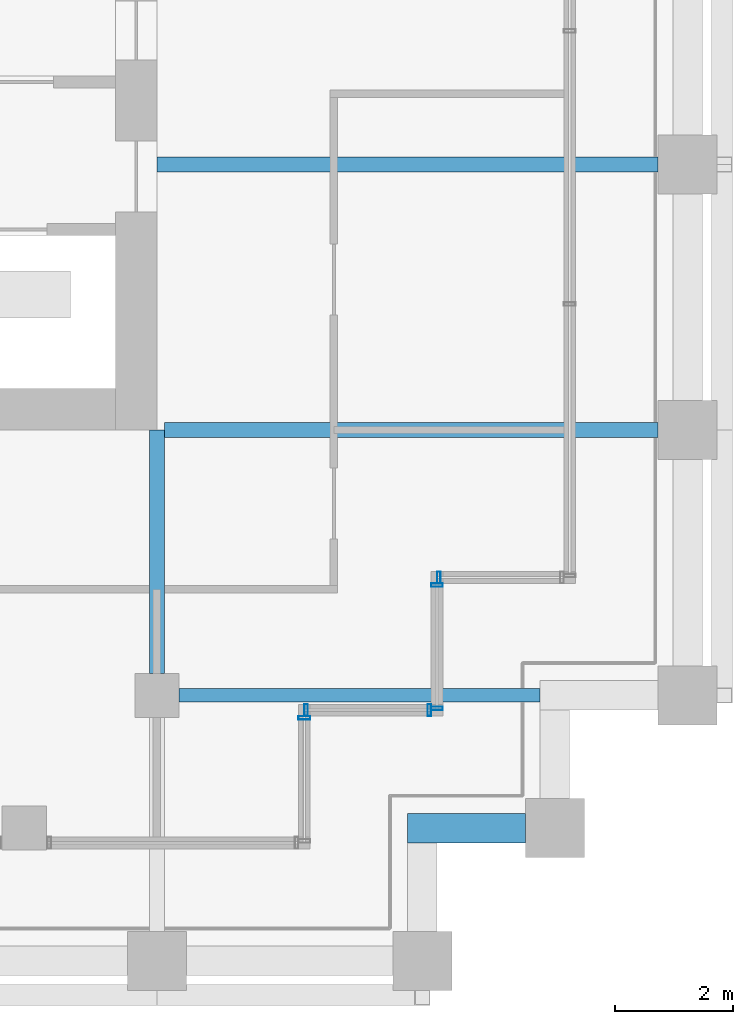
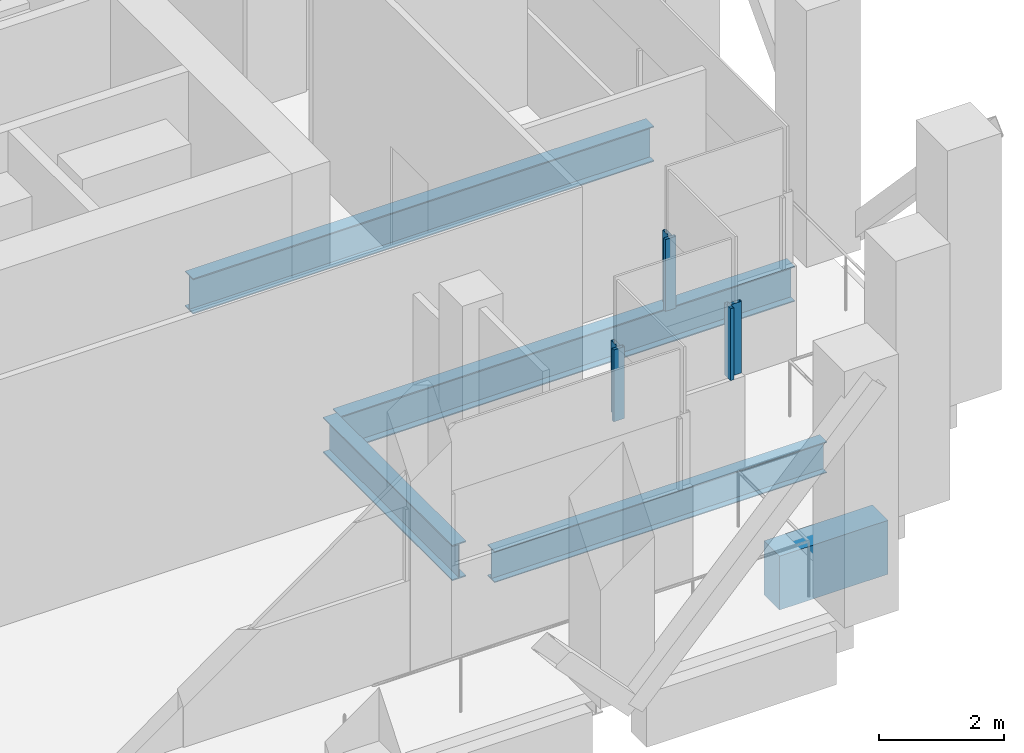
# One storey, part 24 of 48: 6 members, 5 beams, 4 elements without a shape of their own.
"""IFC4 building model written with IfcOpenShell, lengths in metres."""

from ifc_helpers import new_model, si_unit, direction, frame, origin, origin_2d, place, context, subcontext, project, spatial, rectangle, hollow_rectangle, i_section, extrude, material, material_profile, profile_set, type_object, element, aggregate, save


model = new_model("IFC4")

# Units and contexts
model_context = context("Model", 3, precision=1e-05, world=origin(), true_north=direction((0.0, 1.0)))
body_context = subcontext(model_context, "Body", "Model", "MODEL_VIEW")
ifc_project = project(units=[si_unit("LENGTHUNIT", "METRE"), si_unit("AREAUNIT", "SQUARE_METRE"), si_unit("VOLUMEUNIT", "CUBIC_METRE"), si_unit("PLANEANGLEUNIT", "RADIAN"), si_unit("MASSUNIT", "GRAM", prefix="KILO")], contexts=[model_context])

# Site, building, storey
site_placement = place(None, origin())
site = spatial("IfcSite", under=ifc_project, at=site_placement, CompositionType="ELEMENT")
building_placement = place(site_placement, origin())
building = spatial("IfcBuilding", under=site, at=building_placement, Name="Altepetl Exchange Towers", CompositionType="ELEMENT")
storey_placement = place(building_placement, frame((0.0, 0.0, 138.800048828125)))
storey = spatial("IfcBuildingStorey", under=building, at=storey_placement, Name="L34 Refuge and sky lobby", CompositionType="ELEMENT", Elevation=138.800048828125)

# Beams
ifc_material_1 = material(Name="Steel S355", Category="steel")
ifc_material_profile_1 = material_profile(ifc_material_1, i_section(OverallWidth=0.22802734375, OverallDepth=0.60791015625, WebThickness=0.01123046875, FlangeThickness=0.017333984375, at=origin_2d()), Name="W24X76")
ifc_profile_set_1 = profile_set([ifc_material_profile_1], Name="Steel S355")
beam_type_1 = type_object("IfcBeamType", Name="Floor beam W24X76", PredefinedType="BEAM", material=ifc_profile_set_1)
beam_1_placement = place(storey_placement, frame((117.375, 31.5, -0.504150390625), z_axis=(1.0, 0.0, 0.0), x_axis=(0.0, 1.0, 0.0)))
element("IfcBeam", 1, at=beam_1_placement, inside=storey, type_object=beam_type_1, Name="bm:B:L34:000", PredefinedType="BEAM", context=body_context, shape_type="SweptSolid", body=[
    extrude(i_section(OverallWidth=0.22802734375, OverallDepth=0.60791015625, WebThickness=0.01123046875, FlangeThickness=0.017333984375, at=origin_2d()), origin(), (0.0, 0.0, 1.0), 6.125),
])
ifc_material_profile_2 = material_profile(ifc_material_1, i_section(OverallWidth=0.25390625, OverallDepth=0.68798828125, WebThickness=0.01318359375, FlangeThickness=0.02099609375, at=origin_2d()), Name="W27X102")
ifc_profile_set_2 = profile_set([ifc_material_profile_2], Name="Steel S355")
beam_type_2 = type_object("IfcBeamType", Name="Floor beam W27X102", PredefinedType="BEAM", material=ifc_profile_set_2)
beam_2_placement = place(storey_placement, frame((117.1279296875, 36.0, -0.5439453125), z_axis=(1.0, 0.0, 0.0), x_axis=(0.0, 1.0, 0.0)))
element("IfcBeam", 2, at=beam_2_placement, inside=storey, type_object=beam_type_2, Name="bm:B:L34:001", PredefinedType="BEAM", context=body_context, shape_type="SweptSolid", body=[
    extrude(i_section(OverallWidth=0.25390625, OverallDepth=0.68798828125, WebThickness=0.01318359375, FlangeThickness=0.02099609375, at=origin_2d()), origin(), (0.0, 0.0, 1.0), 8.3720703125),
])
beam_3_placement = place(storey_placement, frame((117.0, 40.5, -0.5439453125), z_axis=(1.0, 0.0, 0.0), x_axis=(0.0, 1.0, 0.0)))
element("IfcBeam", 3, at=beam_3_placement, inside=storey, type_object=beam_type_2, Name="bm:B:L34:002", PredefinedType="BEAM", context=body_context, shape_type="SweptSolid", body=[
    extrude(i_section(OverallWidth=0.25390625, OverallDepth=0.68798828125, WebThickness=0.01318359375, FlangeThickness=0.02099609375, at=origin_2d()), origin(), (0.0, 0.0, 1.0), 8.5),
])
ifc_material_profile_3 = material_profile(ifc_material_1, i_section(OverallWidth=0.256103515625, OverallDepth=0.69189453125, WebThickness=0.014404296875, FlangeThickness=0.02294921875, at=origin_2d()), Name="W27X114")
ifc_profile_set_3 = profile_set([ifc_material_profile_3], Name="Steel S355")
beam_type_3 = type_object("IfcBeamType", Name="Girder W27X114", PredefinedType="BEAM", material=ifc_profile_set_3)
beam_4_placement = place(storey_placement, frame((117.0, 36.0, -0.546142578125), z_axis=(0.0, -1.0, 0.0), x_axis=(1.0, 0.0, 0.0)))
element("IfcBeam", 4, at=beam_4_placement, inside=storey, type_object=beam_type_3, Name="gd:B:L34:000", PredefinedType="BEAM", context=body_context, shape_type="SweptSolid", body=[
    extrude(i_section(OverallWidth=0.256103515625, OverallDepth=0.69189453125, WebThickness=0.014404296875, FlangeThickness=0.02294921875, at=origin_2d()), origin(), (0.0, 0.0, 1.0), 4.125),
])

# Curtain wall, member
ifc_material_2 = material(Name="Aluminium 6063-T6 glazing", Category="aluminium")
curtain_wall_type = type_object("IfcCurtainWallType", Name="Refuge slit glazing system", PredefinedType="NOTDEFINED", material=ifc_material_2)
curtain_wall_1_placement = place(storey_placement, origin())
curtain_wall_1 = element("IfcCurtainWall", 5, at=curtain_wall_1_placement, inside=storey, type_object=curtain_wall_type, Name="CW3 run", PredefinedType="NOTDEFINED")
ifc_material_3 = material(Name="Aluminium 6063-T6", Category="aluminium")
ifc_material_profile_4 = material_profile(ifc_material_3, hollow_rectangle(XDim=0.06005859375, YDim=0.199951171875, WallThickness=0.0029296875, at=origin_2d()), Name="Mullion 60x200 aluminium")
ifc_profile_set_4 = profile_set([ifc_material_profile_4], Name="Aluminium 6063-T6")
member_type = type_object("IfcMemberType", Name="Mullion 60x200 aluminium", PredefinedType="MULLION", material=ifc_profile_set_4)
member_1_placement = place(storey_placement, frame((119.5, 31.1201171875, 1.800048828125), z_axis=(0.0, 0.0, 1.0), x_axis=(0.0, 1.0, 0.0)))
member_1 = element("IfcMember", 6, at=member_1_placement, type_object=member_type, Name="MU2 mullion", PredefinedType="MULLION", context=body_context, shape_type="SweptSolid", body=[
    extrude(hollow_rectangle(XDim=0.06005859375, YDim=0.199951171875, WallThickness=0.0029296875, at=origin_2d()), origin(), (0.0, 0.0, 1.0), 1.39990234375),
])
aggregate(curtain_wall_1, [member_1])

# Curtain wall, members
curtain_wall_2_placement = place(storey_placement, origin())
curtain_wall_2 = element("IfcCurtainWall", 7, at=curtain_wall_2_placement, inside=storey, type_object=curtain_wall_type, Name="CW3 run", PredefinedType="NOTDEFINED")
member_2_placement = place(storey_placement, frame((119.530029296875, 31.25, 1.800048828125)))
member_2 = element("IfcMember", 8, at=member_2_placement, type_object=member_type, Name="MU2 mullion", PredefinedType="MULLION", context=body_context, shape_type="SweptSolid", body=[
    extrude(hollow_rectangle(XDim=0.06005859375, YDim=0.199951171875, WallThickness=0.0029296875, at=origin_2d()), origin(), (0.0, 0.0, 1.0), 1.39990234375),
])
member_3_placement = place(storey_placement, frame((121.6201171875, 31.25, 1.800048828125)))
member_3 = element("IfcMember", 9, at=member_3_placement, type_object=member_type, Name="MU2 mullion", PredefinedType="MULLION", context=body_context, shape_type="SweptSolid", body=[
    extrude(hollow_rectangle(XDim=0.06005859375, YDim=0.199951171875, WallThickness=0.0029296875, at=origin_2d()), origin(), (0.0, 0.0, 1.0), 1.39990234375),
])
aggregate(curtain_wall_2, [member_2, member_3])

curtain_wall_3_placement = place(storey_placement, origin())
curtain_wall_3 = element("IfcCurtainWall", 10, at=curtain_wall_3_placement, inside=storey, type_object=curtain_wall_type, Name="CW3 run", PredefinedType="NOTDEFINED")
member_4_placement = place(storey_placement, frame((121.75, 31.280029296875, 1.800048828125), z_axis=(0.0, 0.0, 1.0), x_axis=(0.0, 1.0, 0.0)))
member_4 = element("IfcMember", 11, at=member_4_placement, type_object=member_type, Name="MU2 mullion", PredefinedType="MULLION", context=body_context, shape_type="SweptSolid", body=[
    extrude(hollow_rectangle(XDim=0.06005859375, YDim=0.199951171875, WallThickness=0.0029296875, at=origin_2d()), origin(), (0.0, 0.0, 1.0), 1.39990234375),
])
member_5_placement = place(storey_placement, frame((121.75, 33.3701171875, 1.800048828125), z_axis=(0.0, 0.0, 1.0), x_axis=(0.0, 1.0, 0.0)))
member_5 = element("IfcMember", 12, at=member_5_placement, type_object=member_type, Name="MU2 mullion", PredefinedType="MULLION", context=body_context, shape_type="SweptSolid", body=[
    extrude(hollow_rectangle(XDim=0.06005859375, YDim=0.199951171875, WallThickness=0.0029296875, at=origin_2d()), origin(), (0.0, 0.0, 1.0), 1.39990234375),
])
aggregate(curtain_wall_3, [member_4, member_5])

# Curtain wall, member
curtain_wall_4_placement = place(storey_placement, origin())
curtain_wall_4 = element("IfcCurtainWall", 13, at=curtain_wall_4_placement, inside=storey, type_object=curtain_wall_type, Name="CW3 run", PredefinedType="NOTDEFINED")
member_6_placement = place(storey_placement, frame((121.780029296875, 33.5, 1.800048828125)))
member_6 = element("IfcMember", 14, at=member_6_placement, type_object=member_type, Name="MU2 mullion", PredefinedType="MULLION", context=body_context, shape_type="SweptSolid", body=[
    extrude(hollow_rectangle(XDim=0.06005859375, YDim=0.199951171875, WallThickness=0.0029296875, at=origin_2d()), origin(), (0.0, 0.0, 1.0), 1.39990234375),
])
aggregate(curtain_wall_4, [member_6])

# Beam
ifc_material_4 = material(Name="Concrete C50/60 precast with cantera blanca facing", Category="concrete")
ifc_material_profile_5 = material_profile(ifc_material_4, rectangle(XDim=0.5, YDim=1.050048828125, at=origin_2d()), Name="500 x 1050")
ifc_profile_set_5 = profile_set([ifc_material_profile_5], Name="Concrete C50/60 precast with cantera blanca facing")
beam_type_4 = type_object("IfcBeamType", Name="Spandrel beam 500x1050 cantera blanca", PredefinedType="SPANDREL", material=ifc_profile_set_5)
beam_5_placement = place(storey_placement, frame((121.25, 29.25, -0.72509765625), z_axis=(1.0, 0.0, 0.0), x_axis=(0.0, 1.0, 0.0)))
element("IfcBeam", 15, at=beam_5_placement, inside=storey, type_object=beam_type_4, Name="sp:B:L34:006", PredefinedType="SPANDREL", context=body_context, shape_type="SweptSolid", body=[
    extrude(rectangle(XDim=0.5, YDim=1.050048828125, at=origin_2d()), origin(), (0.0, 0.0, 1.0), 2.0),
])

save(model, "model.ifc")
